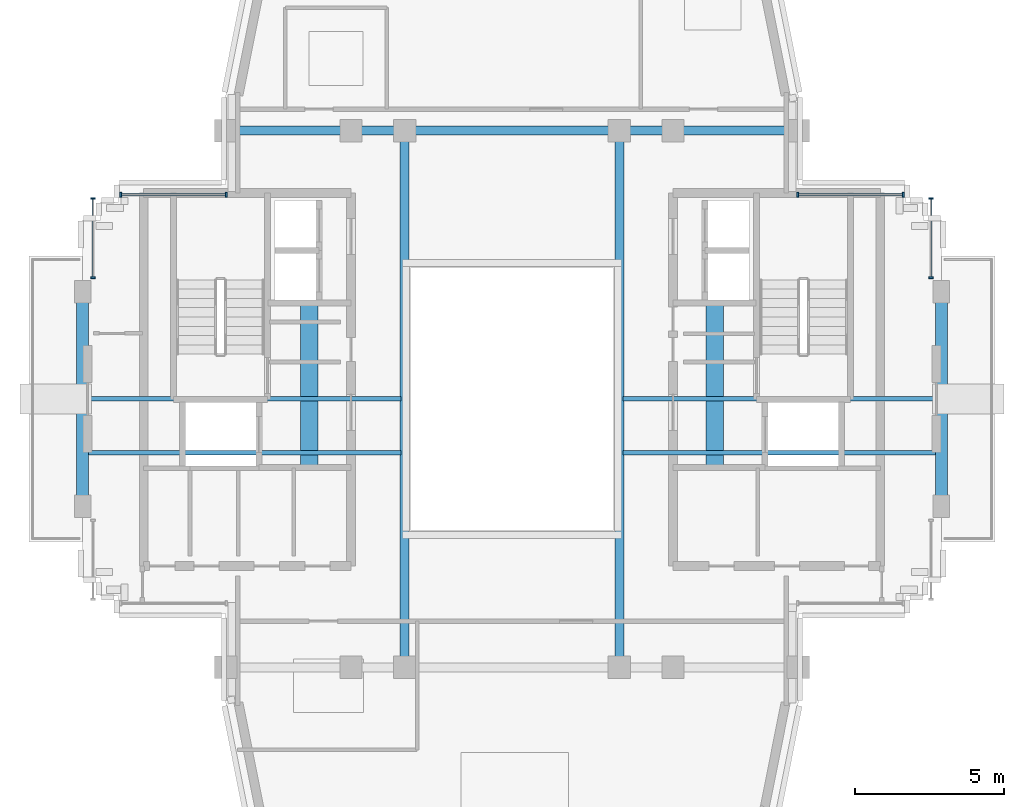
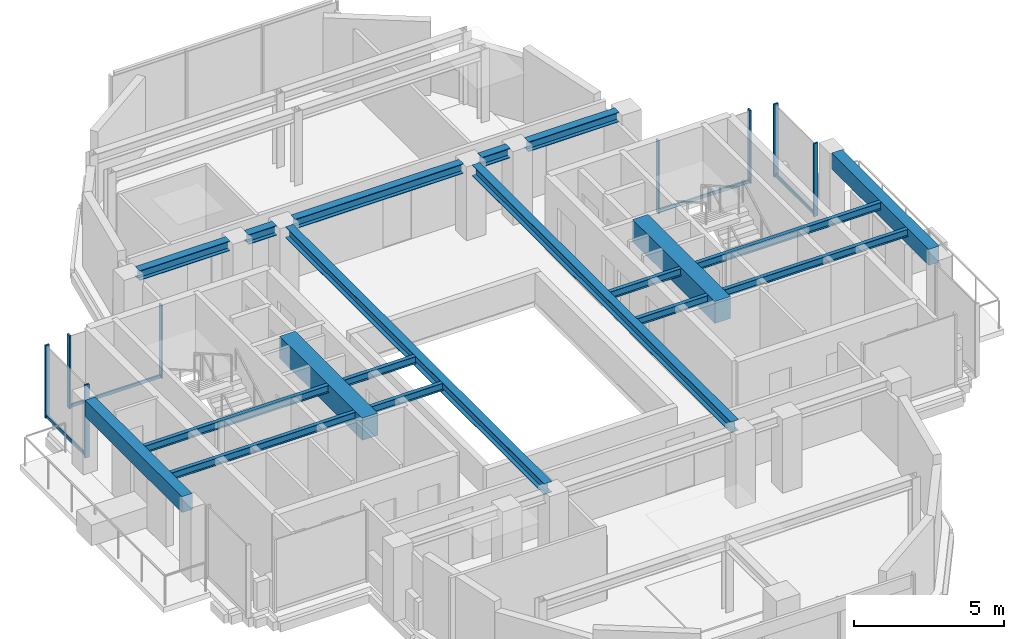
# One storey, part 4 of 12: 15 beams, 12 members, 4 elements without a shape of their own.
"""IFC4 building model written with IfcOpenShell, lengths in metres."""

from ifc_helpers import new_model, si_unit, direction, frame, origin, origin_2d, place, context, subcontext, project, spatial, rectangle, i_section, extrude, source, transform, mapped, material, material_profile, profile_set, type_object, element, aggregate, save


model = new_model("IFC4")

# Units and contexts
model_context = context("Model", 3, precision=1e-05, world=origin(), true_north=direction((0.0, 1.0)))
body_context = subcontext(model_context, "Body", "Model", "MODEL_VIEW")
ifc_project = project(units=[si_unit("LENGTHUNIT", "METRE"), si_unit("AREAUNIT", "SQUARE_METRE"), si_unit("VOLUMEUNIT", "CUBIC_METRE"), si_unit("PLANEANGLEUNIT", "RADIAN"), si_unit("MASSUNIT", "GRAM", prefix="KILO")], contexts=[model_context])

# Site, building, storey
site_placement = place(None, origin())
site = spatial("IfcSite", under=ifc_project, at=site_placement, CompositionType="ELEMENT")
building_placement = place(site_placement, origin())
building = spatial("IfcBuilding", under=site, at=building_placement, Name="Keilestroom Media Tower", CompositionType="ELEMENT")
storey_placement = place(building_placement, frame((0.0, 0.0, 258.800048828125)))
storey = spatial("IfcBuildingStorey", under=building, at=storey_placement, Name="L72", CompositionType="ELEMENT", Elevation=258.800048828125)

# Beams
ifc_material_1 = material(Name="Concrete C70/85", Category="concrete")
ifc_material_profile_1 = material_profile(ifc_material_1, rectangle(XDim=0.60009765625, YDim=0.89990234375, at=origin_2d()), Name="RC 600x900")
ifc_profile_set_1 = profile_set([ifc_material_profile_1], Name="Concrete C70/85")
beam_type_1 = type_object("IfcBeamType", Name="Core-Coupling-Lintel-Beam-RC-600x900", PredefinedType="LINTEL", material=ifc_profile_set_1)
shared_shape_1 = source(origin(), body_context, "Body", "SweptSolid", [
    extrude(rectangle(XDim=0.60009765625, YDim=0.89990234375, at=origin_2d()), origin(), (0.0, 0.0, 1.0), 5.52001953125),
])
for number, where, z_axis, x_axis, name in (
    (1, (-6.800048828125, -2.300048828125, 2.56005859375), (0.0, 1.0, 0.0), (-1.0, 0.0, 0.0), "L72 Beam CLB-1 CLB-L72-W"),
    (2, (6.800048828125, -2.300048828125, 2.56005859375), (0.0, 1.0, 0.0), (-1.0, 0.0, 0.0), "L72 Beam CLB-1 CLB-L72-E"),
):
    element("IfcBeam", number, at=place(storey_placement, frame(where, z_axis=z_axis, x_axis=x_axis)), inside=storey, type_object=beam_type_1, Name=name, PredefinedType="LINTEL", context=body_context, shape_type="MappedRepresentation", body=[
        mapped(shared_shape_1, transform((0.0, 0.0, 0.0), x_axis=(1.0, 0.0, 0.0), y_axis=(0.0, 1.0, 0.0), z_axis=(0.0, 0.0, 1.0), scale=1.0)),
    ])
ifc_material_2 = material(Name="Steel S355", Category="steel")
ifc_material_profile_2 = material_profile(ifc_material_2, i_section(OverallWidth=0.300048828125, OverallDepth=0.39990234375, WebThickness=0.011474609375, FlangeThickness=0.02392578125, at=origin_2d()), Name="HEB 400")
ifc_profile_set_2 = profile_set([ifc_material_profile_2], Name="Steel S355")
beam_type_2 = type_object("IfcBeamType", Name="Primary-Structural-Girder-HEB-400", PredefinedType="BEAM", material=ifc_profile_set_2)
shared_shape_2 = source(origin(), body_context, "Body", "SweptSolid", [
    extrude(i_section(OverallWidth=0.300048828125, OverallDepth=0.39990234375, WebThickness=0.011474609375, FlangeThickness=0.02392578125, at=origin_2d()), origin(), (0.0, 0.0, 1.0), 3.490234375),
])
for number, where, z_axis, x_axis, name in (
    (3, (-9.2451171875, 9.0, 2.81005859375), (1.0, 0.0, 0.0), (0.0, 1.0, 0.0), "L72 Beam BG-8 BM-L72-EW-008"),
    (4, (5.7548828125, 9.0, 2.81005859375), (1.0, 0.0, 0.0), (0.0, 1.0, 0.0), "L72 Beam BG-8 BM-L72-EW-012"),
):
    element("IfcBeam", number, at=place(storey_placement, frame(where, z_axis=z_axis, x_axis=x_axis)), inside=storey, type_object=beam_type_2, Name=name, PredefinedType="BEAM", context=body_context, shape_type="MappedRepresentation", body=[
        mapped(shared_shape_2, transform((0.0, 0.0, 0.0), x_axis=(1.0, 0.0, 0.0), y_axis=(0.0, 1.0, 0.0), z_axis=(0.0, 0.0, 1.0), scale=1.0)),
    ])
shared_shape_3 = source(origin(), body_context, "Body", "SweptSolid", [
    extrude(i_section(OverallWidth=0.300048828125, OverallDepth=0.39990234375, WebThickness=0.011474609375, FlangeThickness=0.02392578125, at=origin_2d()), origin(), (0.0, 0.0, 1.0), 1.08984375),
])
for number, where, z_axis, x_axis, name in (
    (5, (-5.044921875, 9.0, 2.81005859375), (1.0, 0.0, 0.0), (0.0, 1.0, 0.0), "L72 Beam BG-8 BM-L72-EW-009"),
    (6, (3.955078125, 9.0, 2.81005859375), (1.0, 0.0, 0.0), (0.0, 1.0, 0.0), "L72 Beam BG-8 BM-L72-EW-011"),
):
    element("IfcBeam", number, at=place(storey_placement, frame(where, z_axis=z_axis, x_axis=x_axis)), inside=storey, type_object=beam_type_2, Name=name, PredefinedType="BEAM", context=body_context, shape_type="MappedRepresentation", body=[
        mapped(shared_shape_3, transform((0.0, 0.0, 0.0), x_axis=(1.0, 0.0, 0.0), y_axis=(0.0, 1.0, 0.0), z_axis=(0.0, 0.0, 1.0), scale=1.0)),
    ])
shared_shape_4 = source(origin(), body_context, "Body", "SweptSolid", [
    extrude(i_section(OverallWidth=0.300048828125, OverallDepth=0.39990234375, WebThickness=0.011474609375, FlangeThickness=0.02392578125, at=origin_2d()), origin(), (0.0, 0.0, 1.0), 6.490234375),
])
beam_placement = place(storey_placement, frame((-3.2451171875, 9.0, 2.81005859375), z_axis=(1.0, 0.0, 0.0), x_axis=(0.0, 1.0, 0.0)))
element("IfcBeam", 7, at=beam_placement, inside=storey, type_object=beam_type_2, Name="L72 Beam BG-8 BM-L72-EW-010", PredefinedType="BEAM", context=body_context, shape_type="MappedRepresentation", body=[
    mapped(shared_shape_4, transform((0.0, 0.0, 0.0), x_axis=(1.0, 0.0, 0.0), y_axis=(0.0, 1.0, 0.0), z_axis=(0.0, 0.0, 1.0), scale=1.0)),
])
ifc_material_3 = material(Name="Precast concrete C40/50", Category="concrete")
ifc_material_profile_3 = material_profile(ifc_material_3, rectangle(XDim=0.39990234375, YDim=0.64990234375, at=origin_2d()), Name="PC 400x650")
ifc_profile_set_3 = profile_set([ifc_material_profile_3], Name="Precast concrete C40/50")
beam_type_3 = type_object("IfcBeamType", Name="Perimeter-Spandrel-Beam-PC-400x650", PredefinedType="SPANDREL", material=ifc_profile_set_3)
shared_shape_5 = source(origin(), body_context, "Body", "SweptSolid", [
    extrude(rectangle(XDim=0.39990234375, YDim=0.64990234375, at=origin_2d()), origin(), (0.0, 0.0, 1.0), 6.490234375),
])
for number, where, z_axis, x_axis, name in (
    (8, (-14.39990234375, -3.2451171875, 2.68505859375), (0.0, 1.0, 0.0), (-1.0, 0.0, 0.0), "L72 Beam SPB-2 BM-L72-NS-017"),
    (9, (14.39990234375, -3.2451171875, 2.68505859375), (0.0, 1.0, 0.0), (-1.0, 0.0, 0.0), "L72 Beam SPB-2 BM-L72-NS-028"),
):
    element("IfcBeam", number, at=place(storey_placement, frame(where, z_axis=z_axis, x_axis=x_axis)), inside=storey, type_object=beam_type_3, Name=name, PredefinedType="SPANDREL", context=body_context, shape_type="MappedRepresentation", body=[
        mapped(shared_shape_5, transform((0.0, 0.0, 0.0), x_axis=(1.0, 0.0, 0.0), y_axis=(0.0, 1.0, 0.0), z_axis=(0.0, 0.0, 1.0), scale=1.0)),
    ])
ifc_material_profile_4 = material_profile(ifc_material_2, i_section(OverallWidth=0.300048828125, OverallDepth=0.43994140625, WebThickness=0.011474609375, FlangeThickness=0.02099609375, at=origin_2d()), Name="HEA 450")
ifc_profile_set_4 = profile_set([ifc_material_profile_4], Name="Steel S355")
beam_type_4 = type_object("IfcBeamType", Name="Primary-Structural-Girder-HEA-450", PredefinedType="BEAM", material=ifc_profile_set_4)
shared_shape_6 = source(origin(), body_context, "Body", "SweptSolid", [
    extrude(i_section(OverallWidth=0.300048828125, OverallDepth=0.43994140625, WebThickness=0.011474609375, FlangeThickness=0.02099609375, at=origin_2d()), origin(), (0.0, 0.0, 1.0), 17.2900390625),
])
for number, where, z_axis, x_axis, name in (
    (10, (-3.60009765625, -8.64501953125, 2.7900390625), (0.0, 1.0, 0.0), (-1.0, 0.0, 0.0), "L72 Beam BG-11 BM-L72-NS-021"),
    (11, (3.60009765625, -8.64501953125, 2.7900390625), (0.0, 1.0, 0.0), (-1.0, 0.0, 0.0), "L72 Beam BG-11 BM-L72-NS-024"),
):
    element("IfcBeam", number, at=place(storey_placement, frame(where, z_axis=z_axis, x_axis=x_axis)), inside=storey, type_object=beam_type_4, Name=name, PredefinedType="BEAM", context=body_context, shape_type="MappedRepresentation", body=[
        mapped(shared_shape_6, transform((0.0, 0.0, 0.0), x_axis=(1.0, 0.0, 0.0), y_axis=(0.0, 1.0, 0.0), z_axis=(0.0, 0.0, 1.0), scale=1.0)),
    ])
ifc_material_profile_5 = material_profile(ifc_material_2, i_section(OverallWidth=0.14990234375, OverallDepth=0.300048828125, WebThickness=0.007080078125, FlangeThickness=0.0107421875, at=origin_2d()), Name="IPE 300")
ifc_profile_set_5 = profile_set([ifc_material_profile_5], Name="Steel S355")
beam_type_5 = type_object("IfcBeamType", Name="Secondary-Floor-Joist-IPE-300", PredefinedType="JOIST", material=ifc_profile_set_5)
shared_shape_7 = source(origin(), body_context, "Body", "SweptSolid", [
    extrude(i_section(OverallWidth=0.14990234375, OverallDepth=0.300048828125, WebThickness=0.007080078125, FlangeThickness=0.0107421875, at=origin_2d()), origin(), (0.0, 0.0, 1.0), 10.489990234375),
])
for number, where, z_axis, x_axis, name in (
    (12, (-14.219970703125, -1.800048828125, 2.85986328125), (1.0, 0.0, 0.0), (0.0, 1.0, 0.0), "L72 Beam BJ-7 JST-L72-029"),
    (13, (3.72998046875, -1.800048828125, 2.85986328125), (1.0, 0.0, 0.0), (0.0, 1.0, 0.0), "L72 Beam BJ-7 JST-L72-031"),
    (14, (-14.219970703125, 0.0, 2.85986328125), (1.0, 0.0, 0.0), (0.0, 1.0, 0.0), "L72 Beam BJ-7 JST-L72-032"),
    (15, (3.72998046875, 0.0, 2.85986328125), (1.0, 0.0, 0.0), (0.0, 1.0, 0.0), "L72 Beam BJ-7 JST-L72-034"),
):
    element("IfcBeam", number, at=place(storey_placement, frame(where, z_axis=z_axis, x_axis=x_axis)), inside=storey, type_object=beam_type_5, Name=name, PredefinedType="JOIST", context=body_context, shape_type="MappedRepresentation", body=[
        mapped(shared_shape_7, transform((0.0, 0.0, 0.0), x_axis=(1.0, 0.0, 0.0), y_axis=(0.0, 1.0, 0.0), z_axis=(0.0, 0.0, 1.0), scale=1.0)),
    ])

# Curtain wall, members
ifc_material_4 = material(Name="Anodised Aluminium Alloy", Category="aluminium")
curtain_wall_type = type_object("IfcCurtainWallType", Name="Unitised-Curtain-Wall-CW-4", PredefinedType="NOTDEFINED", material=ifc_material_4)
curtain_wall_1_placement = place(storey_placement, origin())
curtain_wall_1 = element("IfcCurtainWall", 16, at=curtain_wall_1_placement, inside=storey, type_object=curtain_wall_type, Name="L72 Curtain Wall CW-4 CW-L72-W-2", PredefinedType="NOTDEFINED")
ifc_material_profile_6 = material_profile(ifc_material_4, rectangle(XDim=0.06005859375, YDim=0.159912109375, at=origin_2d()), Name="ALU MULLION 60x160")
ifc_profile_set_6 = profile_set([ifc_material_profile_6], Name="Anodised Aluminium Alloy")
member_type_1 = type_object("IfcMemberType", Name="Curtain-Wall-Mullion-CW-4", PredefinedType="MULLION", material=ifc_profile_set_6)
shared_shape_8 = source(origin(), body_context, "Body", "SweptSolid", [
    extrude(rectangle(XDim=0.06005859375, YDim=0.159912109375, at=origin_2d()), origin(), (0.0, 0.0, 1.0), 2.97998046875),
])
member_1_placement = place(storey_placement, frame((-14.050048828125, 4.06494140625, 0.0), z_axis=(0.0, 0.0, 1.0), x_axis=(0.0, 1.0, 0.0)))
member_1 = element("IfcMember", 17, at=member_1_placement, type_object=member_type_1, Name="CW-4 Mullion 00", PredefinedType="MULLION", context=body_context, shape_type="MappedRepresentation", body=[
    mapped(shared_shape_8, transform((0.0, 0.0, 0.0), x_axis=(1.0, 0.0, 0.0), y_axis=(0.0, 1.0, 0.0), z_axis=(0.0, 0.0, 1.0), scale=1.0)),
])
member_2_placement = place(storey_placement, frame((-14.050048828125, 6.719970703125, 0.0), z_axis=(0.0, 0.0, 1.0), x_axis=(0.0, 1.0, 0.0)))
member_2 = element("IfcMember", 18, at=member_2_placement, type_object=member_type_1, Name="CW-4 Mullion 01", PredefinedType="MULLION", context=body_context, shape_type="MappedRepresentation", body=[
    mapped(shared_shape_8, transform((0.0, 0.0, 0.0), x_axis=(1.0, 0.0, 0.0), y_axis=(0.0, 1.0, 0.0), z_axis=(0.0, 0.0, 1.0), scale=1.0)),
])

curtain_wall_2_placement = place(storey_placement, origin())
curtain_wall_2 = element("IfcCurtainWall", 19, at=curtain_wall_2_placement, inside=storey, type_object=curtain_wall_type, Name="L72 Curtain Wall CW-4 CW-L72-E-2", PredefinedType="NOTDEFINED")
member_3_placement = place(storey_placement, frame((14.050048828125, 4.06494140625, 0.0), z_axis=(0.0, 0.0, 1.0), x_axis=(0.0, 1.0, 0.0)))
member_3 = element("IfcMember", 20, at=member_3_placement, type_object=member_type_1, Name="CW-4 Mullion 00", PredefinedType="MULLION", context=body_context, shape_type="MappedRepresentation", body=[
    mapped(shared_shape_8, transform((0.0, 0.0, 0.0), x_axis=(1.0, 0.0, 0.0), y_axis=(0.0, 1.0, 0.0), z_axis=(0.0, 0.0, 1.0), scale=1.0)),
])
member_4_placement = place(storey_placement, frame((14.050048828125, 6.719970703125, 0.0), z_axis=(0.0, 0.0, 1.0), x_axis=(0.0, 1.0, 0.0)))
member_4 = element("IfcMember", 21, at=member_4_placement, type_object=member_type_1, Name="CW-4 Mullion 01", PredefinedType="MULLION", context=body_context, shape_type="MappedRepresentation", body=[
    mapped(shared_shape_8, transform((0.0, 0.0, 0.0), x_axis=(1.0, 0.0, 0.0), y_axis=(0.0, 1.0, 0.0), z_axis=(0.0, 0.0, 1.0), scale=1.0)),
])

curtain_wall_3_placement = place(storey_placement, origin())
curtain_wall_3 = element("IfcCurtainWall", 22, at=curtain_wall_3_placement, inside=storey, type_object=curtain_wall_type, Name="L72 Curtain Wall CW-4 CW-L72-NW-1", PredefinedType="NOTDEFINED")
member_5_placement = place(storey_placement, frame((-13.1201171875, 6.85009765625, 0.0), z_axis=(0.0, 0.0, 1.0), x_axis=(1.0, 0.0, 0.0)))
member_5 = element("IfcMember", 23, at=member_5_placement, type_object=member_type_1, Name="CW-4 Mullion 00", PredefinedType="MULLION", context=body_context, shape_type="MappedRepresentation", body=[
    mapped(shared_shape_8, transform((0.0, 0.0, 0.0), x_axis=(1.0, 0.0, 0.0), y_axis=(0.0, 1.0, 0.0), z_axis=(0.0, 0.0, 1.0), scale=1.0)),
])
member_6_placement = place(storey_placement, frame((-9.580078125, 6.85009765625, 0.0), z_axis=(0.0, 0.0, 1.0), x_axis=(1.0, 0.0, 0.0)))
member_6 = element("IfcMember", 24, at=member_6_placement, type_object=member_type_1, Name="CW-4 Mullion 01", PredefinedType="MULLION", context=body_context, shape_type="MappedRepresentation", body=[
    mapped(shared_shape_8, transform((0.0, 0.0, 0.0), x_axis=(1.0, 0.0, 0.0), y_axis=(0.0, 1.0, 0.0), z_axis=(0.0, 0.0, 1.0), scale=1.0)),
])

curtain_wall_4_placement = place(storey_placement, origin())
curtain_wall_4 = element("IfcCurtainWall", 25, at=curtain_wall_4_placement, inside=storey, type_object=curtain_wall_type, Name="L72 Curtain Wall CW-4 CW-L72-NE-1", PredefinedType="NOTDEFINED")
member_7_placement = place(storey_placement, frame((9.580078125, 6.85009765625, 0.0), z_axis=(0.0, 0.0, 1.0), x_axis=(1.0, 0.0, 0.0)))
member_7 = element("IfcMember", 26, at=member_7_placement, type_object=member_type_1, Name="CW-4 Mullion 00", PredefinedType="MULLION", context=body_context, shape_type="MappedRepresentation", body=[
    mapped(shared_shape_8, transform((0.0, 0.0, 0.0), x_axis=(1.0, 0.0, 0.0), y_axis=(0.0, 1.0, 0.0), z_axis=(0.0, 0.0, 1.0), scale=1.0)),
])
member_8_placement = place(storey_placement, frame((13.1201171875, 6.85009765625, 0.0), z_axis=(0.0, 0.0, 1.0), x_axis=(1.0, 0.0, 0.0)))
member_8 = element("IfcMember", 27, at=member_8_placement, type_object=member_type_1, Name="CW-4 Mullion 01", PredefinedType="MULLION", context=body_context, shape_type="MappedRepresentation", body=[
    mapped(shared_shape_8, transform((0.0, 0.0, 0.0), x_axis=(1.0, 0.0, 0.0), y_axis=(0.0, 1.0, 0.0), z_axis=(0.0, 0.0, 1.0), scale=1.0)),
])

# Member
ifc_material_profile_7 = material_profile(ifc_material_4, rectangle(XDim=0.06005859375, YDim=0.1298828125, at=origin_2d()), Name="ALU TRANSOM 60x130")
ifc_profile_set_7 = profile_set([ifc_material_profile_7], Name="Anodised Aluminium Alloy")
member_type_2 = type_object("IfcMemberType", Name="Curtain-Wall-Transom-CW-4", PredefinedType="USERDEFINED", material=ifc_profile_set_7)
shared_shape_9 = source(origin(), body_context, "Body", "SweptSolid", [
    extrude(rectangle(XDim=0.06005859375, YDim=0.1298828125, at=origin_2d()), origin(), (0.0, 0.0, 1.0), 2.598876953125),
])
member_9_placement = place(storey_placement, frame((-14.050048828125, 4.093017578125, 0.06494140625), z_axis=(0.0, 1.0, 0.0), x_axis=(-1.0, 0.0, 0.0)))
member_9 = element("IfcMember", 28, at=member_9_placement, type_object=member_type_2, Name="CW-4 Transom 00.1", ObjectType="TRANSOM", PredefinedType="USERDEFINED", context=body_context, shape_type="MappedRepresentation", body=[
    mapped(shared_shape_9, transform((0.0, 0.0, 0.0), x_axis=(1.0, 0.0, 0.0), y_axis=(0.0, 1.0, 0.0), z_axis=(0.0, 0.0, 1.0), scale=1.0)),
])

aggregate(curtain_wall_1, [member_1, member_2, member_9])

member_10_placement = place(storey_placement, frame((14.050048828125, 4.093017578125, 0.06494140625), z_axis=(0.0, 1.0, 0.0), x_axis=(-1.0, 0.0, 0.0)))
member_10 = element("IfcMember", 29, at=member_10_placement, type_object=member_type_2, Name="CW-4 Transom 00.1", ObjectType="TRANSOM", PredefinedType="USERDEFINED", context=body_context, shape_type="MappedRepresentation", body=[
    mapped(shared_shape_9, transform((0.0, 0.0, 0.0), x_axis=(1.0, 0.0, 0.0), y_axis=(0.0, 1.0, 0.0), z_axis=(0.0, 0.0, 1.0), scale=1.0)),
])

aggregate(curtain_wall_2, [member_3, member_4, member_10])

shared_shape_10 = source(origin(), body_context, "Body", "SweptSolid", [
    extrude(rectangle(XDim=0.06005859375, YDim=0.1298828125, at=origin_2d()), origin(), (0.0, 0.0, 1.0), 3.484130859375),
])
member_11_placement = place(storey_placement, frame((-13.092041015625, 6.85009765625, 0.06494140625), z_axis=(1.0, 0.0, 0.0), x_axis=(0.0, 1.0, 0.0)))
member_11 = element("IfcMember", 30, at=member_11_placement, type_object=member_type_2, Name="CW-4 Transom 00.1", ObjectType="TRANSOM", PredefinedType="USERDEFINED", context=body_context, shape_type="MappedRepresentation", body=[
    mapped(shared_shape_10, transform((0.0, 0.0, 0.0), x_axis=(1.0, 0.0, 0.0), y_axis=(0.0, 1.0, 0.0), z_axis=(0.0, 0.0, 1.0), scale=1.0)),
])

aggregate(curtain_wall_3, [member_5, member_6, member_11])

member_12_placement = place(storey_placement, frame((9.60791015625, 6.85009765625, 0.06494140625), z_axis=(1.0, 0.0, 0.0), x_axis=(0.0, 1.0, 0.0)))
member_12 = element("IfcMember", 31, at=member_12_placement, type_object=member_type_2, Name="CW-4 Transom 00.1", ObjectType="TRANSOM", PredefinedType="USERDEFINED", context=body_context, shape_type="MappedRepresentation", body=[
    mapped(shared_shape_10, transform((0.0, 0.0, 0.0), x_axis=(1.0, 0.0, 0.0), y_axis=(0.0, 1.0, 0.0), z_axis=(0.0, 0.0, 1.0), scale=1.0)),
])

aggregate(curtain_wall_4, [member_7, member_8, member_12])

save(model, "model.ifc")
